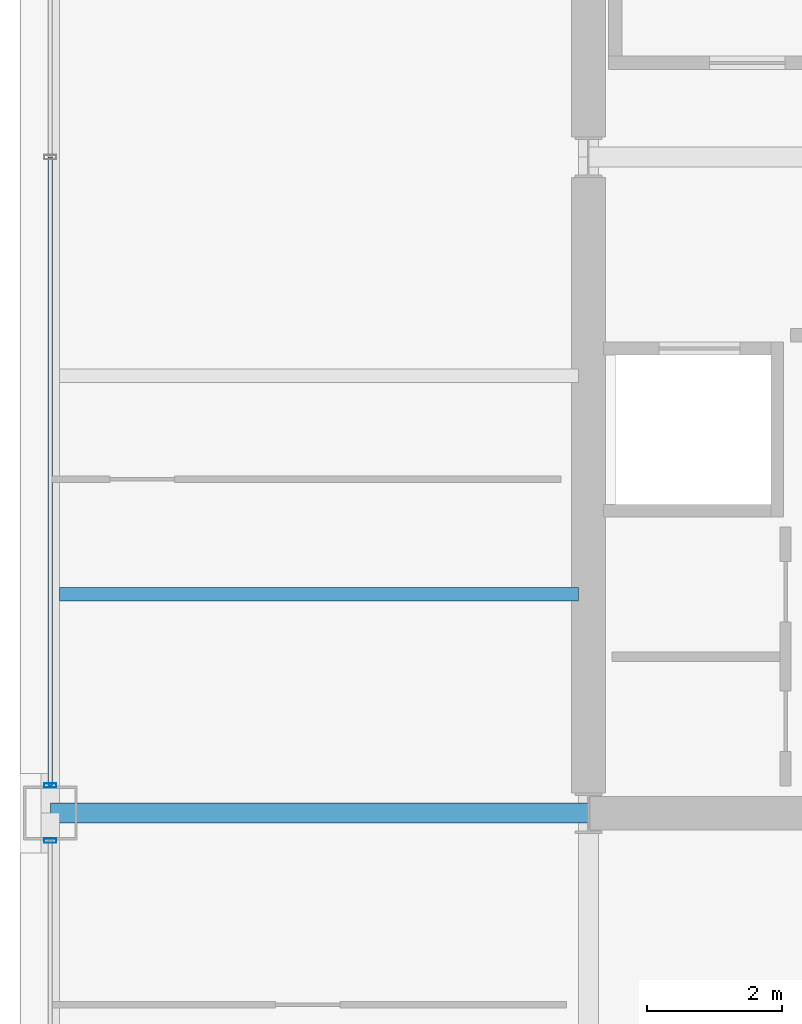
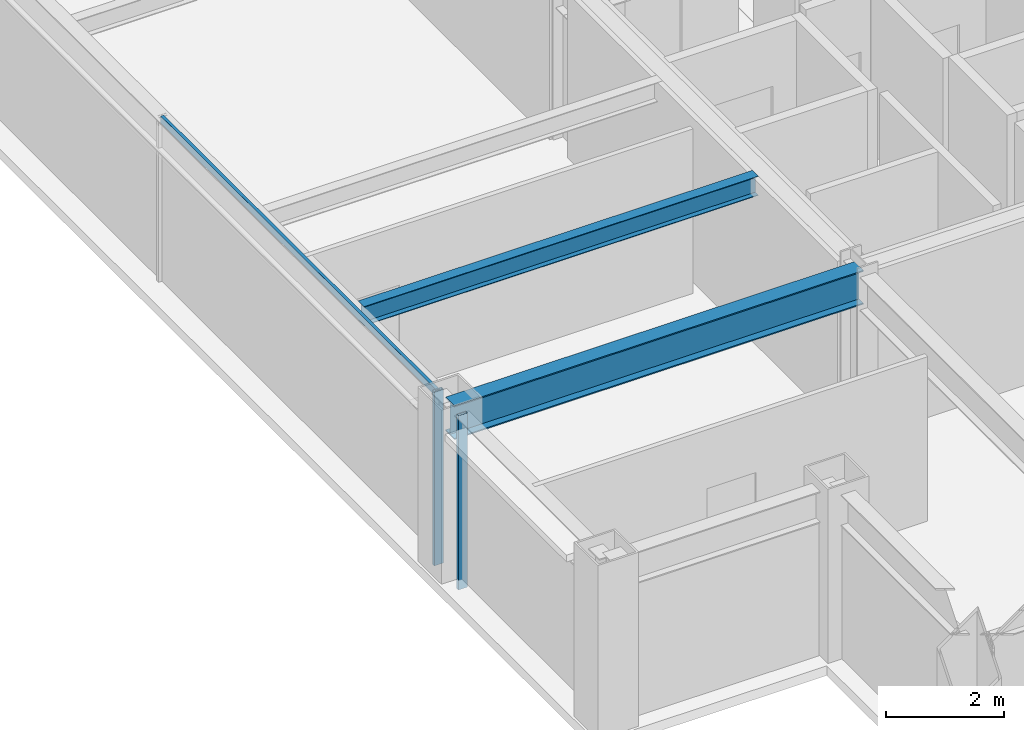
# One storey, part 4 of 29: 3 members, 2 beams, 2 elements without a shape of their own.
"""IFC4 building model written with IfcOpenShell, lengths in metres."""

from ifc_helpers import new_model, si_unit, direction, frame, origin, origin_2d, place, context, subcontext, project, spatial, hollow_rectangle, i_section, extrude, material, layer, layer_set, material_profile, profile_set, type_object, element, aggregate, save


model = new_model("IFC4")

# Units and contexts
model_context = context("Model", 3, precision=1e-05, world=origin(), true_north=direction((0.0, 1.0)))
body_context = subcontext(model_context, "Body", "Model", "MODEL_VIEW")
ifc_project = project(units=[si_unit("LENGTHUNIT", "METRE"), si_unit("AREAUNIT", "SQUARE_METRE"), si_unit("VOLUMEUNIT", "CUBIC_METRE"), si_unit("PLANEANGLEUNIT", "RADIAN"), si_unit("MASSUNIT", "GRAM", prefix="KILO")], contexts=[model_context])

# Site, building, storey
site_placement = place(None, origin())
site = spatial("IfcSite", under=ifc_project, at=site_placement, CompositionType="ELEMENT")
building_placement = place(site_placement, origin())
building = spatial("IfcBuilding", under=site, at=building_placement, Name="Brelmoor Portico Tower", CompositionType="ELEMENT")
storey_placement = place(building_placement, frame((0.0, 0.0, 127.800048828125)))
storey = spatial("IfcBuildingStorey", under=building, at=storey_placement, Name="L33", CompositionType="ELEMENT", Elevation=127.800048828125)

# Beams
ifc_material_1 = material(Name="Steel Q355B", Category="steel")
ifc_material_profile_1 = material_profile(ifc_material_1, i_section(OverallWidth=0.199951171875, OverallDepth=0.39990234375, WebThickness=0.008056640625, FlangeThickness=0.012939453125, at=origin_2d()), Name="HN 400x200x8x13")
ifc_profile_set_1 = profile_set([ifc_material_profile_1], Name="Steel Q355B")
beam_type_1 = type_object("IfcBeamType", Name="BM-JS-400", PredefinedType="JOIST", material=ifc_profile_set_1)
beam_1_placement = place(storey_placement, frame((-22.409912109375, -6.5, 3.199951171875), z_axis=(1.0, 0.0, 0.0), x_axis=(0.0, 1.0, 0.0)))
element("IfcBeam", 1, at=beam_1_placement, inside=storey, type_object=beam_type_1, Name="L33 Secondary Wing Joist JS-W05", PredefinedType="JOIST", context=body_context, shape_type="SweptSolid", body=[
    extrude(i_section(OverallWidth=0.199951171875, OverallDepth=0.39990234375, WebThickness=0.008056640625, FlangeThickness=0.012939453125, at=origin_2d()), origin(), (0.0, 0.0, 1.0), 7.7099609375),
])
ifc_material_profile_2 = material_profile(ifc_material_1, i_section(OverallWidth=0.300048828125, OverallDepth=0.699951171875, WebThickness=0.012939453125, FlangeThickness=0.02392578125, at=origin_2d()), Name="HN 700x300x13x24")
ifc_profile_set_2 = profile_set([ifc_material_profile_2], Name="Steel Q355B")
beam_type_2 = type_object("IfcBeamType", Name="BM-PG-700", PredefinedType="BEAM", material=ifc_profile_set_2)
beam_2_placement = place(storey_placement, frame((-22.550048828125, -9.75, 3.050048828125), z_axis=(1.0, 0.0, 0.0), x_axis=(0.0, 1.0, 0.0)))
element("IfcBeam", 2, at=beam_2_placement, inside=storey, type_object=beam_type_2, Name="L33 Primary Floor Girder PG-14", PredefinedType="BEAM", context=body_context, shape_type="SweptSolid", body=[
    extrude(i_section(OverallWidth=0.300048828125, OverallDepth=0.699951171875, WebThickness=0.012939453125, FlangeThickness=0.02392578125, at=origin_2d()), origin(), (0.0, 0.0, 1.0), 8.0),
])

# Curtain wall, member
ifc_material_2 = material(Name="Anodised Aluminium Alloy 6063-T6", Category="aluminium")
ifc_layer = layer(ifc_material_2, 0.179931640625)
ifc_layer_set = layer_set([ifc_layer], Name="Anodised Aluminium Alloy 6063-T6")
curtain_wall_type = type_object("IfcCurtainWallType", Name="CW-TOWER-Z2-XB", PredefinedType="NOTDEFINED", material=ifc_layer_set)
curtain_wall_1_placement = place(storey_placement, origin())
curtain_wall_1 = element("IfcCurtainWall", 3, at=curtain_wall_1_placement, inside=storey, type_object=curtain_wall_type, Name="L33 Curtain Wall CW-L33-03-1", PredefinedType="NOTDEFINED")
ifc_material_profile_3 = material_profile(ifc_material_2, hollow_rectangle(XDim=0.06494140625, YDim=0.179931640625, WallThickness=0.00390625, at=origin_2d()), Name="ALU MULLION 65x180")
ifc_profile_set_3 = profile_set([ifc_material_profile_3], Name="Anodised Aluminium Alloy 6063-T6")
member_type_1 = type_object("IfcMemberType", Name="MB-CW-MULL-180", PredefinedType="MULLION", material=ifc_profile_set_3)
member_1_placement = place(storey_placement, frame((-22.550048828125, -10.159912109375, -0.199951171875), z_axis=(0.0, 0.0, 1.0), x_axis=(0.0, 1.0, 0.0)))
member_1 = element("IfcMember", 4, at=member_1_placement, type_object=member_type_1, Name="CW-L33-03-1 Mullion 01", PredefinedType="MULLION", context=body_context, shape_type="SweptSolid", body=[
    extrude(hollow_rectangle(XDim=0.06494140625, YDim=0.179931640625, WallThickness=0.00390625, at=origin_2d()), origin(), (0.0, 0.0, 1.0), 3.599853515625),
])
aggregate(curtain_wall_1, [member_1])

# Curtain wall, members
curtain_wall_2_placement = place(storey_placement, origin())
curtain_wall_2 = element("IfcCurtainWall", 5, at=curtain_wall_2_placement, inside=storey, type_object=curtain_wall_type, Name="L33 Curtain Wall CW-L33-03-2", PredefinedType="NOTDEFINED")
member_2_placement = place(storey_placement, frame((-22.550048828125, -9.340087890625, -0.199951171875), z_axis=(0.0, 0.0, 1.0), x_axis=(0.0, 1.0, 0.0)))
member_2 = element("IfcMember", 6, at=member_2_placement, type_object=member_type_1, Name="CW-L33-03-2 Mullion 00", PredefinedType="MULLION", context=body_context, shape_type="SweptSolid", body=[
    extrude(hollow_rectangle(XDim=0.06494140625, YDim=0.179931640625, WallThickness=0.00390625, at=origin_2d()), origin(), (0.0, 0.0, 1.0), 3.599853515625),
])
ifc_material_profile_4 = material_profile(ifc_material_2, hollow_rectangle(XDim=0.06494140625, YDim=0.139892578125, WallThickness=0.00390625, at=origin_2d()), Name="ALU TRANSOM 65x140")
ifc_profile_set_4 = profile_set([ifc_material_profile_4], Name="Anodised Aluminium Alloy 6063-T6")
member_type_2 = type_object("IfcMemberType", Name="MB-CW-TRAN-140", PredefinedType="USERDEFINED", material=ifc_profile_set_4)
member_3_placement = place(storey_placement, frame((-22.550048828125, -9.340087890625, 3.329833984375), z_axis=(0.0, 1.0, 0.0), x_axis=(-1.0, 0.0, 0.0)))
member_3 = element("IfcMember", 7, at=member_3_placement, type_object=member_type_2, Name="CW-L33-03-2 Transom 1-00", ObjectType="TRANSOM", PredefinedType="USERDEFINED", context=body_context, shape_type="SweptSolid", body=[
    extrude(hollow_rectangle(XDim=0.06494140625, YDim=0.139892578125, WallThickness=0.00390625, at=origin_2d()), origin(), (0.0, 0.0, 1.0), 9.340087890625),
])
aggregate(curtain_wall_2, [member_2, member_3])

save(model, "model.ifc")
